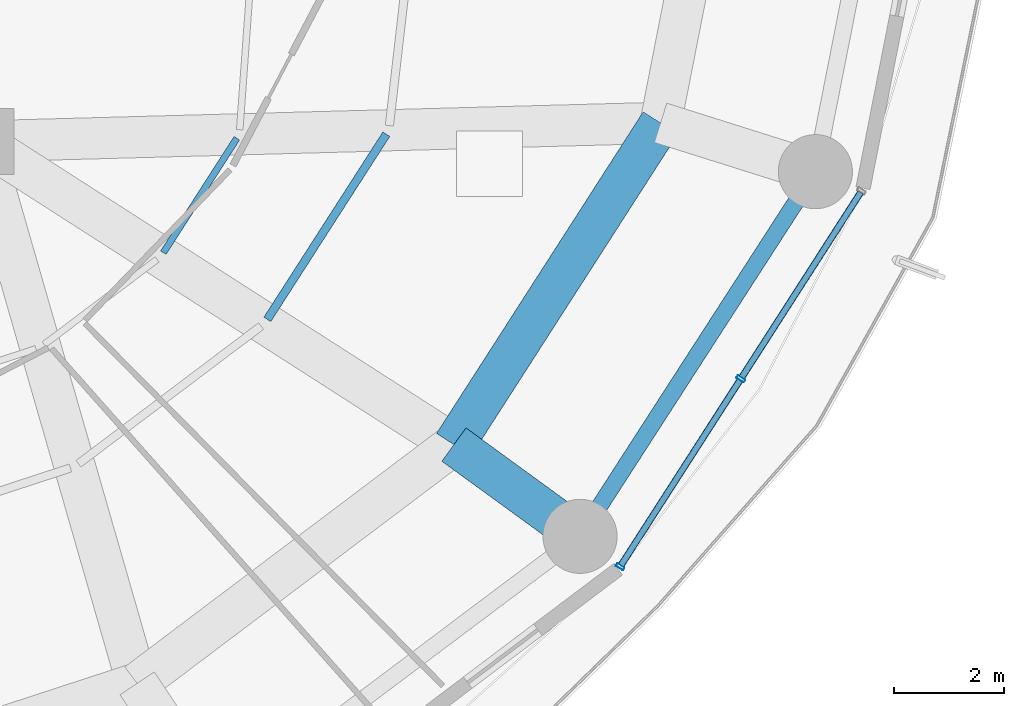
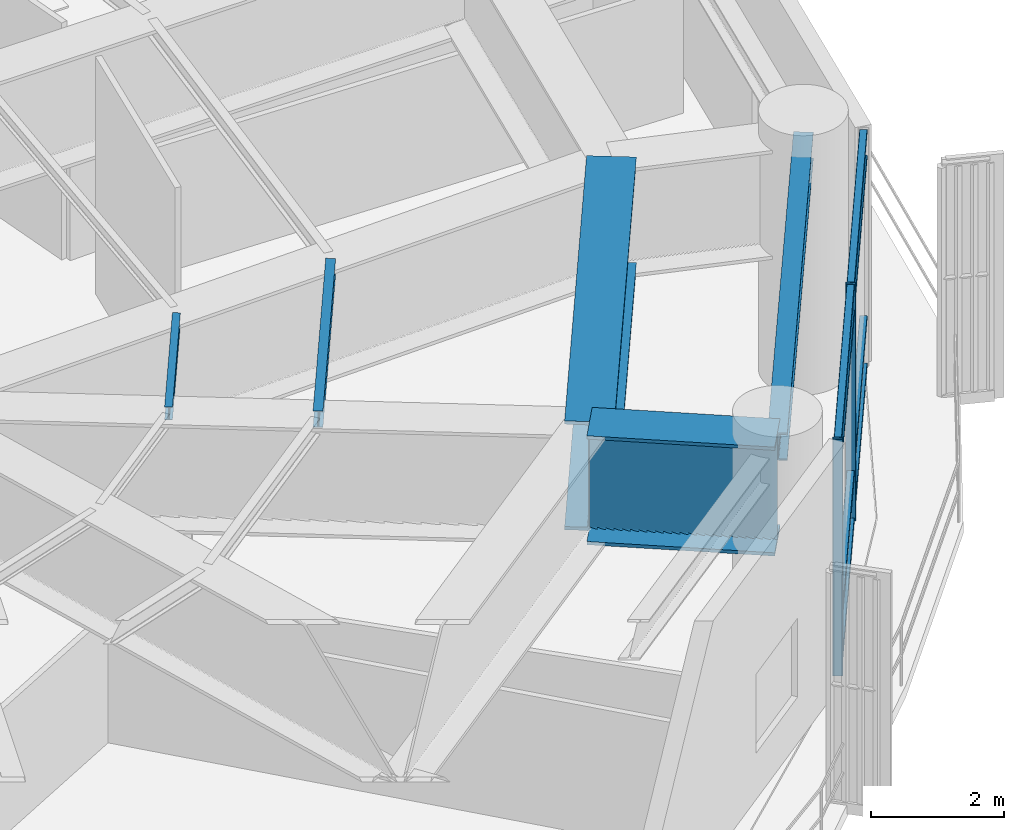
# One storey, part 12 of 34: 10 members, 5 beams, 1 element without a shape of its own.
"""IFC4 building model written with IfcOpenShell, lengths in metres."""

from ifc_helpers import new_model, si_unit, direction, frame, origin, origin_2d, place, context, subcontext, project, spatial, hollow_rectangle, i_section, extrude, material, layer, layer_set, material_profile, profile_set, type_object, element, aggregate, save


model = new_model("IFC4")

# Units and contexts
model_context = context("Model", 3, precision=1e-05, world=origin(), true_north=direction((0.0, 1.0)))
body_context = subcontext(model_context, "Body", "Model", "MODEL_VIEW")
ifc_project = project(units=[si_unit("LENGTHUNIT", "METRE"), si_unit("AREAUNIT", "SQUARE_METRE"), si_unit("VOLUMEUNIT", "CUBIC_METRE"), si_unit("PLANEANGLEUNIT", "RADIAN"), si_unit("MASSUNIT", "GRAM", prefix="KILO")], contexts=[model_context])

# Site, building, storey
site_placement = place(None, origin())
site = spatial("IfcSite", under=ifc_project, at=site_placement, CompositionType="ELEMENT")
building_placement = place(site_placement, origin())
building = spatial("IfcBuilding", under=site, at=building_placement, Name="Kelanora Arch Commons", CompositionType="ELEMENT")
storey_placement = place(building_placement, frame((0.0, 0.0, 125.10009765625)))
storey = spatial("IfcBuildingStorey", under=building, at=storey_placement, Name="L32", CompositionType="ELEMENT", Elevation=125.10009765625)

# Beams
ifc_material_1 = material(Name="Steel S355", Category="steel")
ifc_material_profile_1 = material_profile(ifc_material_1, i_section(OverallWidth=0.14990234375, OverallDepth=0.300048828125, WebThickness=0.007080078125, FlangeThickness=0.0107421875, FilletRadius=0.014892578125, at=origin_2d()), Name="IPE300")
ifc_profile_set_1 = profile_set([ifc_material_profile_1], Name="Steel S355")
beam_type_1 = type_object("IfcBeamType", Name="BM-JST-01", PredefinedType="JOIST", material=ifc_profile_set_1)
beam_1_placement = place(storey_placement, frame((87.210693359375, 47.758544921875, 4.2099609375), z_axis=(0.540594434398, 0.841283339606, 0.0), x_axis=(-0.841283339606, 0.540594434398, 0.0)))
element("IfcBeam", 1, at=beam_1_placement, inside=storey, type_object=beam_type_1, Name="Secondary Chord Joist BJB-32 L32", PredefinedType="JOIST", context=body_context, shape_type="SweptSolid", body=[
    extrude(i_section(OverallWidth=0.14990234375, OverallDepth=0.300048828125, WebThickness=0.007080078125, FlangeThickness=0.0107421875, FilletRadius=0.014892578125, at=origin_2d()), origin(), (0.0, 0.0, 1.0), 4.008544921875),
])
ifc_material_profile_2 = material_profile(ifc_material_1, i_section(OverallWidth=0.1201171875, OverallDepth=0.239990234375, WebThickness=0.006103515625, FlangeThickness=0.009765625, FilletRadius=0.014892578125, at=origin_2d()), Name="IPE240")
ifc_profile_set_2 = profile_set([ifc_material_profile_2], Name="Steel S355")
beam_type_2 = type_object("IfcBeamType", Name="BM-JST-02", PredefinedType="JOIST", material=ifc_profile_set_2)
beam_2_placement = place(storey_placement, frame((85.31689453125, 48.973388671875, 4.239990234375), z_axis=(0.540583174025, 0.841290575224, 0.0), x_axis=(-0.841290575224, 0.540583174025, 0.0)))
element("IfcBeam", 2, at=beam_2_placement, inside=storey, type_object=beam_type_2, Name="Secondary Chord Joist BJA-32 L32", PredefinedType="JOIST", context=body_context, shape_type="SweptSolid", body=[
    extrude(i_section(OverallWidth=0.1201171875, OverallDepth=0.239990234375, WebThickness=0.006103515625, FlangeThickness=0.009765625, FilletRadius=0.014892578125, at=origin_2d()), origin(), (0.0, 0.0, 1.0), 2.476318359375),
])
ifc_material_profile_3 = material_profile(ifc_material_1, i_section(OverallWidth=0.300048828125, OverallDepth=0.5, WebThickness=0.014404296875, FlangeThickness=0.028076171875, FilletRadius=0.027099609375, at=origin_2d()), Name="HEB500")
ifc_profile_set_3 = profile_set([ifc_material_profile_3], Name="Steel S355")
beam_type_3 = type_object("IfcBeamType", Name="BM-SPN-Z2", PredefinedType="SPANDREL", material=ifc_profile_set_3)
beam_3_placement = place(storey_placement, frame((92.906005859375, 43.80712890625, 4.10986328125), z_axis=(0.542221144054, 0.840235818649, 0.0), x_axis=(-0.840235818649, 0.542221144054, 0.0)))
element("IfcBeam", 3, at=beam_3_placement, inside=storey, type_object=beam_type_3, Name="Perimeter Spandrel Beam BS-32 L32", PredefinedType="SPANDREL", context=body_context, shape_type="SweptSolid", body=[
    extrude(i_section(OverallWidth=0.300048828125, OverallDepth=0.5, WebThickness=0.014404296875, FlangeThickness=0.028076171875, FilletRadius=0.027099609375, at=origin_2d()), origin(), (0.0, 0.0, 1.0), 7.90380859375),
])
ifc_material_profile_4 = material_profile(ifc_material_1, i_section(OverallWidth=0.75, OverallDepth=2.0, WebThickness=0.034912109375, FlangeThickness=0.06005859375, FilletRadius=0.028076171875, at=origin_2d()), Name="PG2000x750")
ifc_profile_set_4 = profile_set([ifc_material_profile_4], Name="Steel S355")
beam_type_4 = type_object("IfcBeamType", Name="BM-XFER-SET", PredefinedType="USERDEFINED", material=ifc_profile_set_4)
beam_4_placement = place(storey_placement, frame((90.60791015625, 45.478515625, 3.35986328125), z_axis=(0.808728653653, -0.588181914683, 0.0), x_axis=(0.588181914683, 0.808728653653, 0.0)))
element("IfcBeam", 4, at=beam_4_placement, inside=storey, type_object=beam_type_4, Name="Radial Floor Girder BR-32 L32", ObjectType="TRANSFER_GIRDER", PredefinedType="USERDEFINED", context=body_context, shape_type="SweptSolid", body=[
    extrude(i_section(OverallWidth=0.75, OverallDepth=2.0, WebThickness=0.034912109375, FlangeThickness=0.06005859375, FilletRadius=0.028076171875, at=origin_2d()), origin(), (0.0, 0.0, 1.0), 2.841552734375),
])
beam_5_placement = place(storey_placement, frame((90.60791015625, 45.478515625, 3.35986328125), z_axis=(0.540576852469, 0.841294637196, 0.0), x_axis=(-0.841294637196, 0.540576852469, 0.0)))
element("IfcBeam", 5, at=beam_5_placement, inside=storey, type_object=beam_type_4, Name="Setback Inner Transfer Ring BSI-32 L32", ObjectType="TRANSFER_GIRDER", PredefinedType="USERDEFINED", context=body_context, shape_type="SweptSolid", body=[
    extrude(i_section(OverallWidth=0.75, OverallDepth=2.0, WebThickness=0.034912109375, FlangeThickness=0.06005859375, FilletRadius=0.028076171875, at=origin_2d()), origin(), (0.0, 0.0, 1.0), 6.964111328125),
])

# Curtain wall, members
ifc_material_2 = material(Name="Terracotta ceramic-fritted low-E glass and aluminium", Category="masonry")
ifc_layer = layer(ifc_material_2, 0.159912109375)
ifc_layer_set = layer_set([ifc_layer], Name="Terracotta ceramic-fritted low-E glass and aluminium")
curtain_wall_type = type_object("IfcCurtainWallType", Name="CW-SYS-01", PredefinedType="NOTDEFINED", material=ifc_layer_set)
curtain_wall_placement = place(storey_placement, origin())
curtain_wall = element("IfcCurtainWall", 6, at=curtain_wall_placement, inside=storey, type_object=curtain_wall_type, Name="Unitised Curtain Wall L32-B16", PredefinedType="NOTDEFINED")
ifc_material_3 = material(Name="Powder-coated aluminium terracotta", Category="masonry")
ifc_material_profile_5 = material_profile(ifc_material_3, hollow_rectangle(XDim=0.159912109375, YDim=0.06005859375, WallThickness=0.0048828125, InnerFilletRadius=0.0048828125, OuterFilletRadius=0.010009765625, at=origin_2d()), Name="CWM160x60")
ifc_profile_set_5 = profile_set([ifc_material_profile_5], Name="Powder-coated aluminium terracotta")
member_type_1 = type_object("IfcMemberType", Name="CWM-STD", PredefinedType="MULLION", material=ifc_profile_set_5)
member_1_placement = place(storey_placement, frame((93.635009765625, 43.253662109375, 0.0), z_axis=(0.0, 0.0, 1.0), x_axis=(-0.841268883088, 0.540616931244, 0.0)))
member_1 = element("IfcMember", 7, at=member_1_placement, type_object=member_type_1, Name="CW-01 mullion 1", PredefinedType="MULLION", context=body_context, shape_type="SweptSolid", body=[
    extrude(hollow_rectangle(XDim=0.159912109375, YDim=0.06005859375, WallThickness=0.0048828125, InnerFilletRadius=0.0048828125, OuterFilletRadius=0.010009765625, at=origin_2d()), origin(), (0.0, 0.0, 1.0), 4.344970703125),
])
member_2_placement = place(storey_placement, frame((95.83349609375, 46.6748046875, 0.0), z_axis=(0.0, 0.0, 1.0), x_axis=(-0.841268883088, 0.540616931244, 0.0)))
member_2 = element("IfcMember", 8, at=member_2_placement, type_object=member_type_1, Name="CW-01 mullion 2", PredefinedType="MULLION", context=body_context, shape_type="SweptSolid", body=[
    extrude(hollow_rectangle(XDim=0.159912109375, YDim=0.06005859375, WallThickness=0.0048828125, InnerFilletRadius=0.0048828125, OuterFilletRadius=0.010009765625, at=origin_2d()), origin(), (0.0, 0.0, 1.0), 4.344970703125),
])
ifc_material_profile_6 = material_profile(ifc_material_3, hollow_rectangle(XDim=0.1201171875, YDim=0.06005859375, WallThickness=0.0048828125, InnerFilletRadius=0.0048828125, OuterFilletRadius=0.010009765625, at=origin_2d()), Name="CWT120x60")
ifc_profile_set_6 = profile_set([ifc_material_profile_6], Name="Powder-coated aluminium terracotta")
member_type_2 = type_object("IfcMemberType", Name="CWT-STD", PredefinedType="USERDEFINED", material=ifc_profile_set_6)
member_3_placement = place(storey_placement, frame((93.651123046875, 43.279052734375, 0.02978515625), z_axis=(0.540643629734, 0.841251725483, 0.0), x_axis=(-0.841251725483, 0.540643629734, 0.0)))
member_3 = element("IfcMember", 9, at=member_3_placement, type_object=member_type_2, Name="CW-01 transom 1.1", ObjectType="TRANSOM", PredefinedType="USERDEFINED", context=body_context, shape_type="SweptSolid", body=[
    extrude(hollow_rectangle(XDim=0.1201171875, YDim=0.06005859375, WallThickness=0.0048828125, InnerFilletRadius=0.0048828125, OuterFilletRadius=0.010009765625, at=origin_2d()), origin(), (0.0, 0.0, 1.0), 4.00634765625),
])
member_4_placement = place(storey_placement, frame((93.651123046875, 43.279052734375, 0.89990234375), z_axis=(0.540643629734, 0.841251725483, 0.0), x_axis=(-0.841251725483, 0.540643629734, 0.0)))
member_4 = element("IfcMember", 10, at=member_4_placement, type_object=member_type_2, Name="CW-01 transom 1.2", ObjectType="TRANSOM", PredefinedType="USERDEFINED", context=body_context, shape_type="SweptSolid", body=[
    extrude(hollow_rectangle(XDim=0.1201171875, YDim=0.06005859375, WallThickness=0.0048828125, InnerFilletRadius=0.0048828125, OuterFilletRadius=0.010009765625, at=origin_2d()), origin(), (0.0, 0.0, 1.0), 4.00634765625),
])
member_5_placement = place(storey_placement, frame((93.651123046875, 43.279052734375, 3.844970703125), z_axis=(0.540643629734, 0.841251725483, 0.0), x_axis=(-0.841251725483, 0.540643629734, 0.0)))
member_5 = element("IfcMember", 11, at=member_5_placement, type_object=member_type_2, Name="CW-01 transom 1.3", ObjectType="TRANSOM", PredefinedType="USERDEFINED", context=body_context, shape_type="SweptSolid", body=[
    extrude(hollow_rectangle(XDim=0.1201171875, YDim=0.06005859375, WallThickness=0.0048828125, InnerFilletRadius=0.0048828125, OuterFilletRadius=0.010009765625, at=origin_2d()), origin(), (0.0, 0.0, 1.0), 4.00634765625),
])
member_6_placement = place(storey_placement, frame((93.651123046875, 43.279052734375, 4.31494140625), z_axis=(0.540643629734, 0.841251725483, 0.0), x_axis=(-0.841251725483, 0.540643629734, 0.0)))
member_6 = element("IfcMember", 12, at=member_6_placement, type_object=member_type_2, Name="CW-01 transom 1.4", ObjectType="TRANSOM", PredefinedType="USERDEFINED", context=body_context, shape_type="SweptSolid", body=[
    extrude(hollow_rectangle(XDim=0.1201171875, YDim=0.06005859375, WallThickness=0.0048828125, InnerFilletRadius=0.0048828125, OuterFilletRadius=0.010009765625, at=origin_2d()), origin(), (0.0, 0.0, 1.0), 4.00634765625),
])
member_7_placement = place(storey_placement, frame((95.849609375, 46.699951171875, 0.02978515625), z_axis=(0.540643629734, 0.841251725483, 0.0), x_axis=(-0.841251725483, 0.540643629734, 0.0)))
member_7 = element("IfcMember", 13, at=member_7_placement, type_object=member_type_2, Name="CW-01 transom 2.1", ObjectType="TRANSOM", PredefinedType="USERDEFINED", context=body_context, shape_type="SweptSolid", body=[
    extrude(hollow_rectangle(XDim=0.1201171875, YDim=0.06005859375, WallThickness=0.0048828125, InnerFilletRadius=0.0048828125, OuterFilletRadius=0.010009765625, at=origin_2d()), origin(), (0.0, 0.0, 1.0), 4.00634765625),
])
member_8_placement = place(storey_placement, frame((95.849609375, 46.699951171875, 0.89990234375), z_axis=(0.540643629734, 0.841251725483, 0.0), x_axis=(-0.841251725483, 0.540643629734, 0.0)))
member_8 = element("IfcMember", 14, at=member_8_placement, type_object=member_type_2, Name="CW-01 transom 2.2", ObjectType="TRANSOM", PredefinedType="USERDEFINED", context=body_context, shape_type="SweptSolid", body=[
    extrude(hollow_rectangle(XDim=0.1201171875, YDim=0.06005859375, WallThickness=0.0048828125, InnerFilletRadius=0.0048828125, OuterFilletRadius=0.010009765625, at=origin_2d()), origin(), (0.0, 0.0, 1.0), 4.00634765625),
])
member_9_placement = place(storey_placement, frame((95.849609375, 46.699951171875, 3.844970703125), z_axis=(0.540643629734, 0.841251725483, 0.0), x_axis=(-0.841251725483, 0.540643629734, 0.0)))
member_9 = element("IfcMember", 15, at=member_9_placement, type_object=member_type_2, Name="CW-01 transom 2.3", ObjectType="TRANSOM", PredefinedType="USERDEFINED", context=body_context, shape_type="SweptSolid", body=[
    extrude(hollow_rectangle(XDim=0.1201171875, YDim=0.06005859375, WallThickness=0.0048828125, InnerFilletRadius=0.0048828125, OuterFilletRadius=0.010009765625, at=origin_2d()), origin(), (0.0, 0.0, 1.0), 4.00634765625),
])
member_10_placement = place(storey_placement, frame((95.849609375, 46.699951171875, 4.31494140625), z_axis=(0.540643629734, 0.841251725483, 0.0), x_axis=(-0.841251725483, 0.540643629734, 0.0)))
member_10 = element("IfcMember", 16, at=member_10_placement, type_object=member_type_2, Name="CW-01 transom 2.4", ObjectType="TRANSOM", PredefinedType="USERDEFINED", context=body_context, shape_type="SweptSolid", body=[
    extrude(hollow_rectangle(XDim=0.1201171875, YDim=0.06005859375, WallThickness=0.0048828125, InnerFilletRadius=0.0048828125, OuterFilletRadius=0.010009765625, at=origin_2d()), origin(), (0.0, 0.0, 1.0), 4.00634765625),
])
aggregate(curtain_wall, [member_1, member_2, member_3, member_4, member_5, member_6, member_7, member_8, member_9, member_10])

save(model, "model.ifc")
